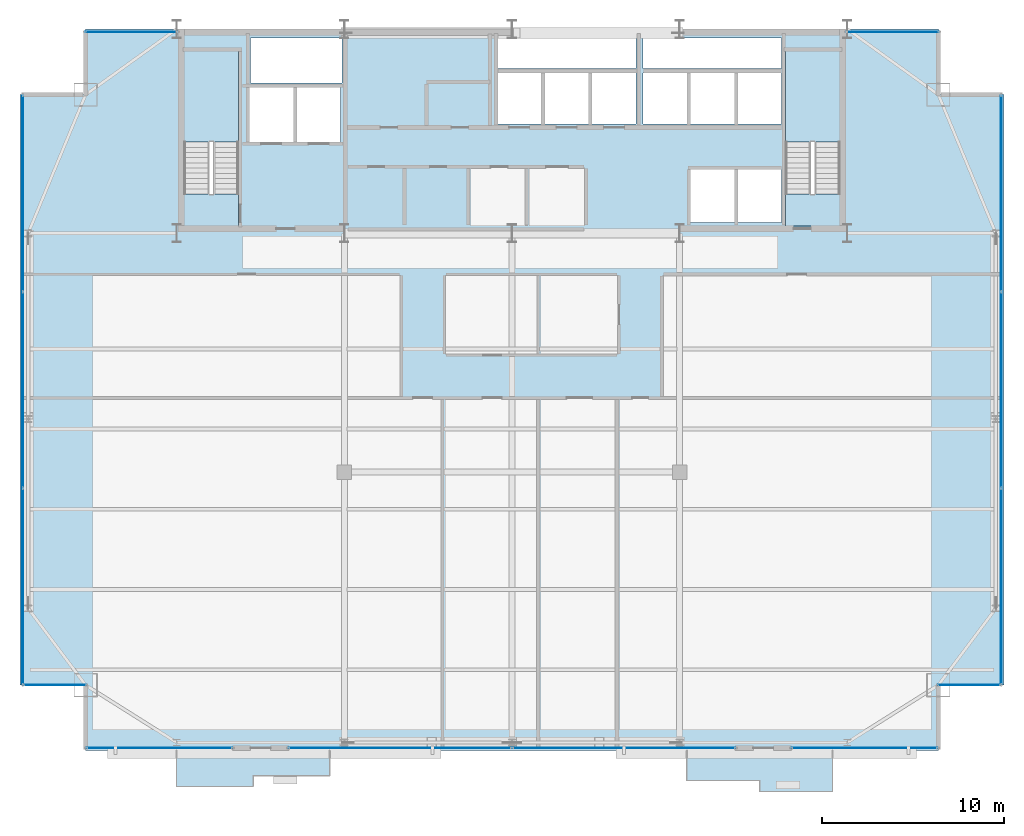
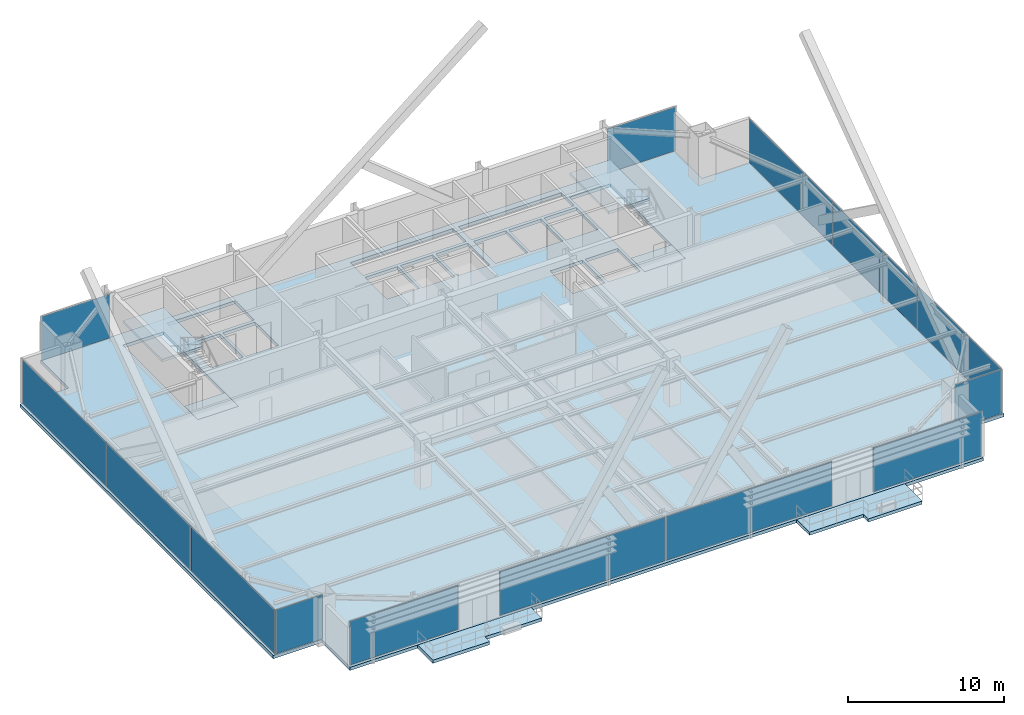
# One storey, part 27 of 34: 14 plates, 7 slabs, 11 elements without a shape of their own.
"""IFC4 building model written with IfcOpenShell, lengths in metres."""

from ifc_helpers import new_model, si_unit, direction, frame, origin, origin_2d, place, context, subcontext, project, spatial, polyline, rectangle, outline, extrude, source, transform, mapped, material, layer, layer_set, type_object, type_shapes, element, aggregate, save


model = new_model("IFC4")

# Units and contexts
model_context = context("Model", 3, precision=1e-05, world=origin(), true_north=direction((0.0, 1.0)))
body_context = subcontext(model_context, "Body", "Model", "MODEL_VIEW")
ifc_project = project(units=[si_unit("LENGTHUNIT", "METRE"), si_unit("AREAUNIT", "SQUARE_METRE"), si_unit("VOLUMEUNIT", "CUBIC_METRE"), si_unit("PLANEANGLEUNIT", "RADIAN"), si_unit("MASSUNIT", "GRAM", prefix="KILO")], contexts=[model_context])

# Site, building, storey
site_placement = place(None, origin())
site = spatial("IfcSite", under=ifc_project, at=site_placement, CompositionType="ELEMENT")
building_placement = place(site_placement, origin())
building = spatial("IfcBuilding", under=site, at=building_placement, Name="Varnel Quay Broadcast Tower", CompositionType="ELEMENT")
storey_placement = place(building_placement, frame((0.0, 0.0, 161.0)))
storey = spatial("IfcBuildingStorey", under=building, at=storey_placement, Name="L39", CompositionType="ELEMENT", Elevation=161.0)

# Slabs
ifc_material_1 = material(Name="Concrete CSA A23.3 C40/50", Category="concrete")
ifc_layer_1 = layer(ifc_material_1, 0.25, Name="Concrete CSA A23.3 C40/50")
ifc_layer_set_1 = layer_set([ifc_layer_1], Name="Concrete CSA A23.3 C40/50")
slab_type_1 = type_object("IfcSlabType", Name="Slab_ExtTerrace250", PredefinedType="FLOOR", material=ifc_layer_set_1)
slab_1_placement = place(storey_placement, frame((0.0, 0.0, -0.25)))
element("IfcSlab", 1, at=slab_1_placement, inside=storey, type_object=slab_type_1, Name="L39 Planted Lobe Terrace Slab 1", PredefinedType="FLOOR", context=body_context, shape_type="SweptSolid", body=[
    extrude(outline(polyline([(15.590087890625, 5.236083984375), (19.7900390625, 5.236083984375), (19.7900390625, 5.8359375), (23.989990234375, 5.8359375), (23.989990234375, 7.199951171875), (15.590087890625, 7.199951171875), (15.590087890625, 5.236083984375)])), origin(), (0.0, 0.0, 1.0), 0.25),
])
slab_2_placement = place(storey_placement, frame((0.0, 0.0, -0.25)))
element("IfcSlab", 2, at=slab_2_placement, inside=storey, type_object=slab_type_1, Name="L39 Planted Lobe Terrace Slab 2", PredefinedType="FLOOR", context=body_context, shape_type="SweptSolid", body=[
    extrude(outline(polyline([(43.60009765625, 5.56396484375), (47.594970703125, 5.56396484375), (47.594970703125, 4.964111328125), (51.590087890625, 4.964111328125), (51.590087890625, 7.199951171875), (43.60009765625, 7.199951171875), (43.60009765625, 5.56396484375)])), origin(), (0.0, 0.0, 1.0), 0.25),
])
ifc_material_2 = material(Name="Concrete CSA A23.3 C50/60", Category="concrete")
ifc_layer_2 = layer(ifc_material_2, 0.25, Name="Concrete CSA A23.3 C50/60")
ifc_layer_set_2 = layer_set([ifc_layer_2], Name="Concrete CSA A23.3 C50/60")
slab_type_2 = type_object("IfcSlabType", Name="Slab_Floor250", PredefinedType="FLOOR", material=ifc_layer_set_2)
slab_3_placement = place(storey_placement, frame((0.0, 0.0, -0.25)))
element("IfcSlab", 3, at=slab_3_placement, inside=storey, type_object=slab_type_2, Name="L39 Structural Slab", PredefinedType="FLOOR", context=body_context, shape_type="SweptSolid", body=[
    extrude(outline(polyline([(10.60009765625, 7.199951171875), (57.39990234375, 7.199951171875), (57.39990234375, 10.800048828125), (61.0, 10.800048828125), (61.0, 43.199951171875), (57.39990234375, 43.199951171875), (57.39990234375, 46.800048828125), (10.60009765625, 46.800048828125), (10.60009765625, 43.199951171875), (7.0, 43.199951171875), (7.0, 10.800048828125), (10.60009765625, 10.800048828125), (10.60009765625, 7.199951171875)]), holes=[polyline([(19.0, 36.0), (16.0, 36.0), (16.0, 45.60009765625), (19.0, 45.60009765625), (19.0, 36.0)]), polyline([(19.60009765625, 43.60009765625), (22.0, 43.60009765625), (22.0, 40.60009765625), (19.60009765625, 40.60009765625), (19.60009765625, 43.60009765625)]), polyline([(22.199951171875, 43.60009765625), (24.60009765625, 43.60009765625), (24.60009765625, 40.60009765625), (22.199951171875, 40.60009765625), (22.199951171875, 43.60009765625)]), polyline([(33.199951171875, 44.39990234375), (35.60009765625, 44.39990234375), (35.60009765625, 41.60009765625), (33.199951171875, 41.60009765625), (33.199951171875, 44.39990234375)]), polyline([(35.800048828125, 44.39990234375), (38.199951171875, 44.39990234375), (38.199951171875, 41.60009765625), (35.800048828125, 41.60009765625), (35.800048828125, 44.39990234375)]), polyline([(38.39990234375, 44.39990234375), (40.800048828125, 44.39990234375), (40.800048828125, 41.60009765625), (38.39990234375, 41.60009765625), (38.39990234375, 44.39990234375)]), polyline([(19.64990234375, 46.300048828125), (24.679931640625, 46.300048828125), (24.679931640625, 43.85009765625), (19.64990234375, 43.85009765625), (19.64990234375, 46.300048828125)]), polyline([(33.199951171875, 46.300048828125), (40.800048828125, 46.300048828125), (40.800048828125, 44.64990234375), (33.199951171875, 44.64990234375), (33.199951171875, 46.300048828125)]), polyline([(43.800048828125, 39.10009765625), (46.199951171875, 39.10009765625), (46.199951171875, 36.199951171875), (43.800048828125, 36.199951171875), (43.800048828125, 39.10009765625)]), polyline([(46.39990234375, 39.10009765625), (48.800048828125, 39.10009765625), (48.800048828125, 36.199951171875), (46.39990234375, 36.199951171875), (46.39990234375, 39.10009765625)]), polyline([(49.0, 36.0), (49.0, 45.60009765625), (52.0, 45.60009765625), (52.0, 36.0), (49.0, 36.0)]), polyline([(41.199951171875, 44.39990234375), (43.60009765625, 44.39990234375), (43.60009765625, 41.60009765625), (41.199951171875, 41.60009765625), (41.199951171875, 44.39990234375)]), polyline([(43.800048828125, 44.39990234375), (46.199951171875, 44.39990234375), (46.199951171875, 41.60009765625), (43.800048828125, 41.60009765625), (43.800048828125, 44.39990234375)]), polyline([(46.39990234375, 44.39990234375), (48.800048828125, 44.39990234375), (48.800048828125, 41.60009765625), (46.39990234375, 41.60009765625), (46.39990234375, 44.39990234375)]), polyline([(41.199951171875, 46.300048828125), (48.800048828125, 46.300048828125), (48.800048828125, 44.64990234375), (41.199951171875, 44.64990234375), (41.199951171875, 46.300048828125)])]), origin(), (0.0, 0.0, 1.0), 0.25),
])
ifc_layer_3 = layer(ifc_material_2, 0.25, Name="Concrete CSA A23.3 C50/60")
ifc_layer_set_3 = layer_set([ifc_layer_3], Name="Concrete CSA A23.3 C50/60")
slab_type_3 = type_object("IfcSlabType", Name="Slab_StairFloorLanding250", PredefinedType="FLOOR", material=ifc_layer_set_3)
slab_4_placement = place(storey_placement, frame((0.0, 0.0, -0.25)))
element("IfcSlab", 4, at=slab_4_placement, inside=storey, type_object=slab_type_3, Name="L39 ST-01 Structural Floor Landing Slab", PredefinedType="FLOOR", context=body_context, shape_type="SweptSolid", body=[
    extrude(outline(polyline([(19.0, 36.0), (19.0, 37.75), (16.0, 37.75), (16.0, 36.0), (19.0, 36.0)])), origin(), (0.0, 0.0, 1.0), 0.25),
])
slab_5_placement = place(storey_placement, frame((0.0, 0.0, -0.25)))
element("IfcSlab", 5, at=slab_5_placement, inside=storey, type_object=slab_type_3, Name="L39 ST-02 Structural Floor Landing Slab", PredefinedType="FLOOR", context=body_context, shape_type="SweptSolid", body=[
    extrude(outline(polyline([(52.0, 36.0), (52.0, 37.75), (49.0, 37.75), (49.0, 36.0), (52.0, 36.0)])), origin(), (0.0, 0.0, 1.0), 0.25),
])

# Stair, slab
ifc_material_3 = material(Name="Precast Structural Concrete C40/50", Category="concrete")
stair_type_1 = type_object("IfcStairType", Name="Stair_ST-01", PredefinedType="HALF_TURN_STAIR", material=ifc_material_3)
stair_1_placement = place(storey_placement, origin())
stair_1 = element("IfcStair", 6, at=stair_1_placement, inside=storey, type_object=stair_type_1, Name="L39 West Core Exit Stair 1", PredefinedType="HALF_TURN_STAIR")
ifc_layer_4 = layer(ifc_material_3, 0.199951171875, Name="Precast Structural Concrete C40/50")
ifc_layer_set_4 = layer_set([ifc_layer_4], Name="Precast Structural Concrete C40/50")
slab_type_4 = type_object("IfcSlabType", Name="Slab_StairLanding200", PredefinedType="LANDING", material=ifc_layer_set_4)
slab_6_placement = place(storey_placement, frame((0.0, 0.0, 1.699951171875)))
slab_6 = element("IfcSlab", 7, at=slab_6_placement, type_object=slab_type_4, Name="ST-01 landing 1", PredefinedType="LANDING", context=body_context, shape_type="SweptSolid", body=[
    extrude(outline(polyline([(19.0, 40.60009765625), (19.0, 45.60009765625), (16.0, 45.60009765625), (16.0, 40.60009765625), (19.0, 40.60009765625)])), origin(), (0.0, 0.0, 1.0), 0.199951171875),
])
aggregate(stair_1, [slab_6])

stair_type_2 = type_object("IfcStairType", Name="Stair_ST-02", PredefinedType="HALF_TURN_STAIR", material=ifc_material_3)
stair_2_placement = place(storey_placement, origin())
stair_2 = element("IfcStair", 8, at=stair_2_placement, inside=storey, type_object=stair_type_2, Name="L39 East Core Exit Stair 2", PredefinedType="HALF_TURN_STAIR")
slab_7_placement = place(storey_placement, frame((0.0, 0.0, 1.699951171875)))
slab_7 = element("IfcSlab", 9, at=slab_7_placement, type_object=slab_type_4, Name="ST-02 landing 1", PredefinedType="LANDING", context=body_context, shape_type="SweptSolid", body=[
    extrude(outline(polyline([(52.0, 40.60009765625), (52.0, 45.60009765625), (49.0, 45.60009765625), (49.0, 40.60009765625), (52.0, 40.60009765625)])), origin(), (0.0, 0.0, 1.0), 0.199951171875),
])
aggregate(stair_2, [slab_7])

# Curtain wall, plate
ifc_material_4 = material(Name="Anodised Bronze Aluminium 6063-T6", Category="aluminium")
ifc_layer_5 = layer(ifc_material_4, 0.18994140625, Name="Anodised Bronze Aluminium 6063-T6")
ifc_layer_set_5 = layer_set([ifc_layer_5], Name="Anodised Bronze Aluminium 6063-T6")
curtain_wall_type_1 = type_object("IfcCurtainWallType", Name="CW_NotchCorner", PredefinedType="NOTDEFINED", material=ifc_layer_set_5)
curtain_wall_1_placement = place(storey_placement, origin())
curtain_wall_1 = element("IfcCurtainWall", 10, at=curtain_wall_1_placement, inside=storey, type_object=curtain_wall_type_1, Name="L39 SW Notch Curtain Wall", PredefinedType="NOTDEFINED")
ifc_material_5 = material(Name="Triple-Glazed Bronze Low-E Architectural Glass", Category="glass")
ifc_layer_6 = layer(ifc_material_5, 0.028076171875, Name="Triple-Glazed Bronze Low-E Architectural Glass")
ifc_layer_set_6 = layer_set([ifc_layer_6], Name="Triple-Glazed Bronze Low-E Architectural Glass")
plate_type_1 = type_object("IfcPlateType", Name="Panel_CWS-04", PredefinedType="CURTAIN_PANEL", material=ifc_layer_set_6)
shared_shape_1 = source(origin(), body_context, "Body", "SweptSolid", [
    extrude(rectangle(XDim=3.409912109375, YDim=0.028076171875, at=origin_2d()), origin(), (0.0, 0.0, 1.0), 3.43994140625),
])
type_shapes(plate_type_1, [shared_shape_1])
plate_1_placement = place(storey_placement, frame((8.9150390625, 10.800048828125, 0.054931640625), z_axis=(0.0, 0.0, 1.0), x_axis=(1.0, 0.0, 0.0)))
plate_1 = element("IfcPlate", 11, at=plate_1_placement, type_object=plate_type_1, Name="CWS-04 panel 1.1", PredefinedType="CURTAIN_PANEL", context=body_context, shape_type="MappedRepresentation", body=[
    mapped(shared_shape_1, transform((0.0, 0.0, 0.0), x_axis=(1.0, 0.0, 0.0), y_axis=(0.0, 1.0, 0.0), z_axis=(0.0, 0.0, 1.0), scale=1.0)),
])
aggregate(curtain_wall_1, [plate_1])

curtain_wall_2_placement = place(storey_placement, origin())
curtain_wall_2 = element("IfcCurtainWall", 12, at=curtain_wall_2_placement, inside=storey, type_object=curtain_wall_type_1, Name="L39 SE Notch Curtain Wall", PredefinedType="NOTDEFINED")
plate_2_placement = place(storey_placement, frame((59.0849609375, 10.800048828125, 0.054931640625), z_axis=(0.0, 0.0, 1.0), x_axis=(1.0, 0.0, 0.0)))
plate_2 = element("IfcPlate", 13, at=plate_2_placement, type_object=plate_type_1, Name="CWS-04 panel 1.1", PredefinedType="CURTAIN_PANEL", context=body_context, shape_type="MappedRepresentation", body=[
    mapped(shared_shape_1, transform((0.0, 0.0, 0.0), x_axis=(1.0, 0.0, 0.0), y_axis=(0.0, 1.0, 0.0), z_axis=(0.0, 0.0, 1.0), scale=1.0)),
])
aggregate(curtain_wall_2, [plate_2])

# Curtain wall, plates
ifc_layer_7 = layer(ifc_material_4, 0.18994140625, Name="Anodised Bronze Aluminium 6063-T6")
ifc_layer_set_7 = layer_set([ifc_layer_7], Name="Anodised Bronze Aluminium 6063-T6")
curtain_wall_type_2 = type_object("IfcCurtainWallType", Name="CW_UpperTower", PredefinedType="NOTDEFINED", material=ifc_layer_set_7)
curtain_wall_3_placement = place(storey_placement, origin())
curtain_wall_3 = element("IfcCurtainWall", 14, at=curtain_wall_3_placement, inside=storey, type_object=curtain_wall_type_2, Name="L39 West Unitised Curtain Wall", PredefinedType="NOTDEFINED")
ifc_material_6 = material(Name="Insulated Bronze Spandrel Glass", Category="glass")
ifc_layer_8 = layer(ifc_material_6, 0.030029296875, Name="Insulated Bronze Spandrel Glass")
ifc_layer_set_8 = layer_set([ifc_layer_8], Name="Insulated Bronze Spandrel Glass")
plate_type_2 = type_object("IfcPlateType", Name="PanelSp_CWS-03", PredefinedType="CURTAIN_PANEL", material=ifc_layer_set_8)
shared_shape_2 = source(origin(), body_context, "Body", "SweptSolid", [
    extrude(rectangle(XDim=10.702392578125, YDim=0.030029296875, at=origin_2d()), origin(), (0.0, 0.0, 1.0), 3.429931640625),
])
plate_3_placement = place(storey_placement, frame((7.14990234375, 16.21630859375, 0.06005859375), z_axis=(0.0, 0.0, 1.0), x_axis=(0.0, 1.0, 0.0)))
plate_3 = element("IfcPlate", 15, at=plate_3_placement, type_object=plate_type_2, Name="CWS-03 panel 1.1", PredefinedType="CURTAIN_PANEL", context=body_context, shape_type="MappedRepresentation", body=[
    mapped(shared_shape_2, transform((0.0, 0.0, 0.0), x_axis=(1.0, 0.0, 0.0), y_axis=(0.0, 1.0, 0.0), z_axis=(0.0, 0.0, 1.0), scale=1.0)),
])
plate_4_placement = place(storey_placement, frame((7.14990234375, 37.78369140625, 0.06005859375), z_axis=(0.0, 0.0, 1.0), x_axis=(0.0, 1.0, 0.0)))
plate_4 = element("IfcPlate", 16, at=plate_4_placement, type_object=plate_type_2, Name="CWS-03 panel 3.1", PredefinedType="CURTAIN_PANEL", context=body_context, shape_type="MappedRepresentation", body=[
    mapped(shared_shape_2, transform((0.0, 0.0, 0.0), x_axis=(1.0, 0.0, 0.0), y_axis=(0.0, 1.0, 0.0), z_axis=(0.0, 0.0, 1.0), scale=1.0)),
])

curtain_wall_4_placement = place(storey_placement, origin())
curtain_wall_4 = element("IfcCurtainWall", 17, at=curtain_wall_4_placement, inside=storey, type_object=curtain_wall_type_2, Name="L39 East Unitised Curtain Wall", PredefinedType="NOTDEFINED")
plate_5_placement = place(storey_placement, frame((60.85009765625, 16.21630859375, 0.06005859375), z_axis=(0.0, 0.0, 1.0), x_axis=(0.0, 1.0, 0.0)))
plate_5 = element("IfcPlate", 18, at=plate_5_placement, type_object=plate_type_2, Name="CWS-03 panel 1.1", PredefinedType="CURTAIN_PANEL", context=body_context, shape_type="MappedRepresentation", body=[
    mapped(shared_shape_2, transform((0.0, 0.0, 0.0), x_axis=(1.0, 0.0, 0.0), y_axis=(0.0, 1.0, 0.0), z_axis=(0.0, 0.0, 1.0), scale=1.0)),
])
plate_6_placement = place(storey_placement, frame((60.85009765625, 37.78369140625, 0.06005859375), z_axis=(0.0, 0.0, 1.0), x_axis=(0.0, 1.0, 0.0)))
plate_6 = element("IfcPlate", 19, at=plate_6_placement, type_object=plate_type_2, Name="CWS-03 panel 3.1", PredefinedType="CURTAIN_PANEL", context=body_context, shape_type="MappedRepresentation", body=[
    mapped(shared_shape_2, transform((0.0, 0.0, 0.0), x_axis=(1.0, 0.0, 0.0), y_axis=(0.0, 1.0, 0.0), z_axis=(0.0, 0.0, 1.0), scale=1.0)),
])

# Plate
shared_shape_3 = source(origin(), body_context, "Body", "SweptSolid", [
    extrude(rectangle(XDim=10.735107421875, YDim=0.030029296875, at=origin_2d()), origin(), (0.0, 0.0, 1.0), 3.429931640625),
])
plate_7_placement = place(storey_placement, frame((7.14990234375, 27.0, 0.06005859375), z_axis=(0.0, 0.0, 1.0), x_axis=(0.0, 1.0, 0.0)))
plate_7 = element("IfcPlate", 20, at=plate_7_placement, type_object=plate_type_2, Name="CWS-03 panel 2.1", PredefinedType="CURTAIN_PANEL", context=body_context, shape_type="MappedRepresentation", body=[
    mapped(shared_shape_3, transform((0.0, 0.0, 0.0), x_axis=(1.0, 0.0, 0.0), y_axis=(0.0, 1.0, 0.0), z_axis=(0.0, 0.0, 1.0), scale=1.0)),
])

aggregate(curtain_wall_3, [plate_3, plate_7, plate_4])

plate_8_placement = place(storey_placement, frame((60.85009765625, 27.0, 0.06005859375), z_axis=(0.0, 0.0, 1.0), x_axis=(0.0, 1.0, 0.0)))
plate_8 = element("IfcPlate", 21, at=plate_8_placement, type_object=plate_type_2, Name="CWS-03 panel 2.1", PredefinedType="CURTAIN_PANEL", context=body_context, shape_type="MappedRepresentation", body=[
    mapped(shared_shape_3, transform((0.0, 0.0, 0.0), x_axis=(1.0, 0.0, 0.0), y_axis=(0.0, 1.0, 0.0), z_axis=(0.0, 0.0, 1.0), scale=1.0)),
])

aggregate(curtain_wall_4, [plate_5, plate_8, plate_6])

# Curtain wall, plate
curtain_wall_5_placement = place(storey_placement, origin())
curtain_wall_5 = element("IfcCurtainWall", 22, at=curtain_wall_5_placement, inside=storey, type_object=curtain_wall_type_2, Name="L39 NW Wing Curtain Wall", PredefinedType="NOTDEFINED")
ifc_layer_9 = layer(ifc_material_5, 0.030029296875, Name="Triple-Glazed Bronze Low-E Architectural Glass")
ifc_layer_set_9 = layer_set([ifc_layer_9], Name="Triple-Glazed Bronze Low-E Architectural Glass")
plate_type_3 = type_object("IfcPlateType", Name="Panel_CWS-03", PredefinedType="CURTAIN_PANEL", material=ifc_layer_set_9)
shared_shape_4 = source(origin(), body_context, "Body", "SweptSolid", [
    extrude(rectangle(XDim=5.050048828125, YDim=0.030029296875, at=origin_2d()), origin(), (0.0, 0.0, 1.0), 3.429931640625),
])
plate_9_placement = place(storey_placement, frame((13.110107421875, 46.64990234375, 0.06005859375), z_axis=(0.0, 0.0, 1.0), x_axis=(1.0, 0.0, 0.0)))
plate_9 = element("IfcPlate", 23, at=plate_9_placement, type_object=plate_type_3, Name="CWS-03 panel 1.1", PredefinedType="CURTAIN_PANEL", context=body_context, shape_type="MappedRepresentation", body=[
    mapped(shared_shape_4, transform((0.0, 0.0, 0.0), x_axis=(1.0, 0.0, 0.0), y_axis=(0.0, 1.0, 0.0), z_axis=(0.0, 0.0, 1.0), scale=1.0)),
])
aggregate(curtain_wall_5, [plate_9])

curtain_wall_6_placement = place(storey_placement, origin())
curtain_wall_6 = element("IfcCurtainWall", 24, at=curtain_wall_6_placement, inside=storey, type_object=curtain_wall_type_2, Name="L39 NE Wing Curtain Wall", PredefinedType="NOTDEFINED")
plate_10_placement = place(storey_placement, frame((54.889892578125, 46.64990234375, 0.06005859375), z_axis=(0.0, 0.0, 1.0), x_axis=(1.0, 0.0, 0.0)))
plate_10 = element("IfcPlate", 25, at=plate_10_placement, type_object=plate_type_3, Name="CWS-03 panel 1.1", PredefinedType="CURTAIN_PANEL", context=body_context, shape_type="MappedRepresentation", body=[
    mapped(shared_shape_4, transform((0.0, 0.0, 0.0), x_axis=(1.0, 0.0, 0.0), y_axis=(0.0, 1.0, 0.0), z_axis=(0.0, 0.0, 1.0), scale=1.0)),
])
aggregate(curtain_wall_6, [plate_10])

curtain_wall_7_placement = place(storey_placement, origin())
curtain_wall_7 = element("IfcCurtainWall", 26, at=curtain_wall_7_placement, inside=storey, type_object=curtain_wall_type_2, Name="L39 South Unitised Curtain Wall 1", PredefinedType="NOTDEFINED")
shared_shape_5 = source(origin(), body_context, "Body", "SweptSolid", [
    extrude(rectangle(XDim=7.989990234375, YDim=0.030029296875, at=origin_2d()), origin(), (0.0, 0.0, 1.0), 3.429931640625),
])
type_shapes(plate_type_3, [shared_shape_4, shared_shape_5])
plate_11_placement = place(storey_placement, frame((14.659912109375, 7.35009765625, 0.06005859375), z_axis=(0.0, 0.0, 1.0), x_axis=(1.0, 0.0, 0.0)))
plate_11 = element("IfcPlate", 27, at=plate_11_placement, type_object=plate_type_3, Name="CWS-03 panel 1.1", PredefinedType="CURTAIN_PANEL", context=body_context, shape_type="MappedRepresentation", body=[
    mapped(shared_shape_5, transform((0.0, 0.0, 0.0), x_axis=(1.0, 0.0, 0.0), y_axis=(0.0, 1.0, 0.0), z_axis=(0.0, 0.0, 1.0), scale=1.0)),
])
aggregate(curtain_wall_7, [plate_11])

curtain_wall_8_placement = place(storey_placement, origin())
curtain_wall_8 = element("IfcCurtainWall", 28, at=curtain_wall_8_placement, inside=storey, type_object=curtain_wall_type_2, Name="L39 South Unitised Curtain Wall 3", PredefinedType="NOTDEFINED")
plate_12_placement = place(storey_placement, frame((53.340087890625, 7.35009765625, 0.06005859375), z_axis=(0.0, 0.0, 1.0), x_axis=(1.0, 0.0, 0.0)))
plate_12 = element("IfcPlate", 29, at=plate_12_placement, type_object=plate_type_3, Name="CWS-03 panel 1.1", PredefinedType="CURTAIN_PANEL", context=body_context, shape_type="MappedRepresentation", body=[
    mapped(shared_shape_5, transform((0.0, 0.0, 0.0), x_axis=(1.0, 0.0, 0.0), y_axis=(0.0, 1.0, 0.0), z_axis=(0.0, 0.0, 1.0), scale=1.0)),
])
aggregate(curtain_wall_8, [plate_12])

# Curtain wall, plates
curtain_wall_9_placement = place(storey_placement, origin())
curtain_wall_9 = element("IfcCurtainWall", 30, at=curtain_wall_9_placement, inside=storey, type_object=curtain_wall_type_2, Name="L39 South Unitised Curtain Wall 2", PredefinedType="NOTDEFINED")
shared_shape_6 = source(origin(), body_context, "Body", "SweptSolid", [
    extrude(rectangle(XDim=12.222412109375, YDim=0.030029296875, at=origin_2d()), origin(), (0.0, 0.0, 1.0), 3.429931640625),
])
type_shapes(plate_type_2, [shared_shape_2, shared_shape_3, shared_shape_6])
plate_13_placement = place(storey_placement, frame((27.856201171875, 7.35009765625, 0.06005859375), z_axis=(0.0, 0.0, 1.0), x_axis=(1.0, 0.0, 0.0)))
plate_13 = element("IfcPlate", 31, at=plate_13_placement, type_object=plate_type_2, Name="CWS-03 panel 1.1", PredefinedType="CURTAIN_PANEL", context=body_context, shape_type="MappedRepresentation", body=[
    mapped(shared_shape_6, transform((0.0, 0.0, 0.0), x_axis=(1.0, 0.0, 0.0), y_axis=(0.0, 1.0, 0.0), z_axis=(0.0, 0.0, 1.0), scale=1.0)),
])
plate_14_placement = place(storey_placement, frame((40.143798828125, 7.35009765625, 0.06005859375), z_axis=(0.0, 0.0, 1.0), x_axis=(1.0, 0.0, 0.0)))
plate_14 = element("IfcPlate", 32, at=plate_14_placement, type_object=plate_type_2, Name="CWS-03 panel 2.1", PredefinedType="CURTAIN_PANEL", context=body_context, shape_type="MappedRepresentation", body=[
    mapped(shared_shape_6, transform((0.0, 0.0, 0.0), x_axis=(1.0, 0.0, 0.0), y_axis=(0.0, 1.0, 0.0), z_axis=(0.0, 0.0, 1.0), scale=1.0)),
])
aggregate(curtain_wall_9, [plate_13, plate_14])

save(model, "model.ifc")
